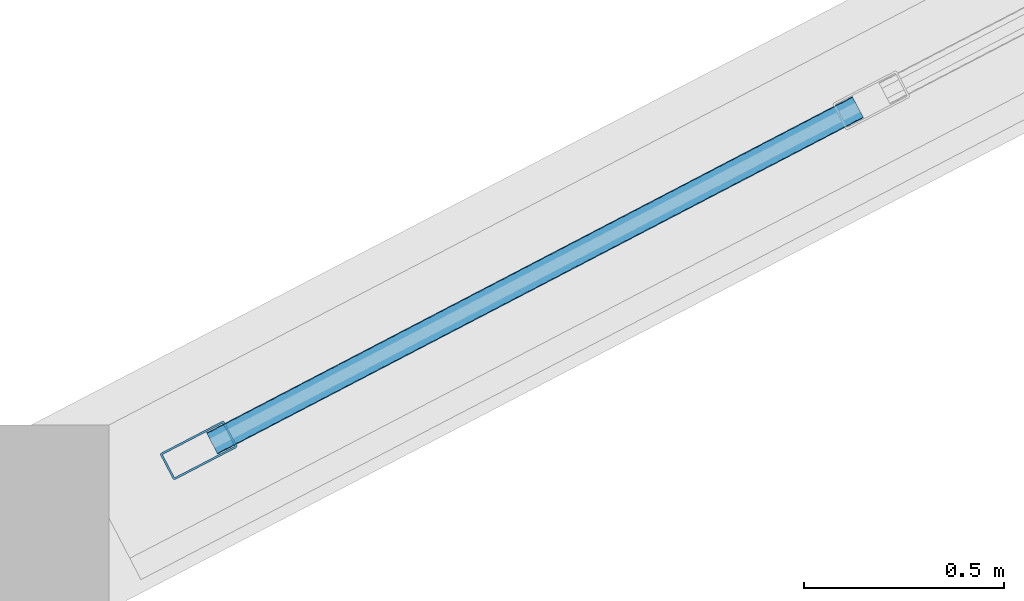
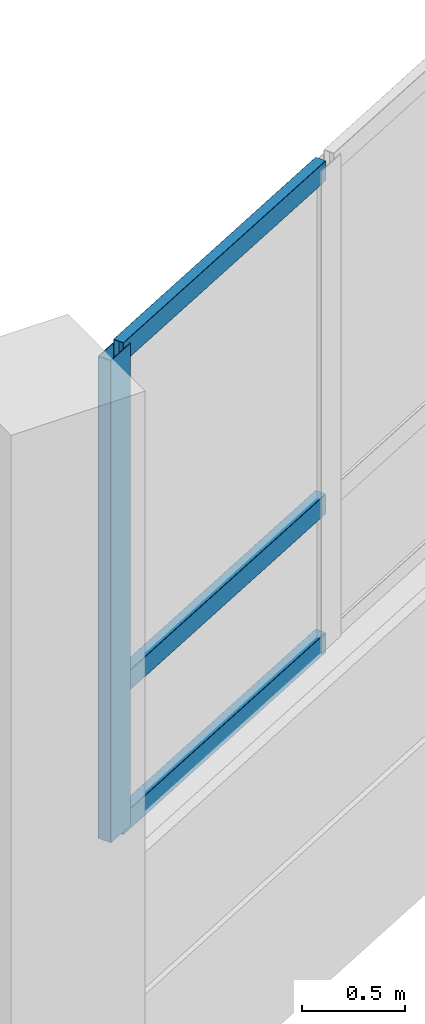
# One storey, part 4 of 121: 4 members, 1 element without a shape of its own.
"""IFC4 building model written with IfcOpenShell, lengths in metres."""

from ifc_helpers import new_model, si_unit, direction, frame, origin, origin_2d, place, context, subcontext, project, spatial, hollow_rectangle, extrude, material, layer, layer_set, material_profile, profile_set, type_object, element, aggregate, save


model = new_model("IFC4")

# Units and contexts
model_context = context("Model", 3, precision=1e-05, world=origin(), true_north=direction((0.0, 1.0)))
body_context = subcontext(model_context, "Body", "Model", "MODEL_VIEW")
ifc_project = project(units=[si_unit("LENGTHUNIT", "METRE"), si_unit("AREAUNIT", "SQUARE_METRE"), si_unit("VOLUMEUNIT", "CUBIC_METRE"), si_unit("PLANEANGLEUNIT", "RADIAN"), si_unit("MASSUNIT", "GRAM", prefix="KILO")], contexts=[model_context])

# Site, building, storey
site_placement = place(None, origin())
site = spatial("IfcSite", under=ifc_project, at=site_placement, CompositionType="ELEMENT")
building_placement = place(site_placement, origin())
building = spatial("IfcBuilding", under=site, at=building_placement, Name="Vespera Passage Community Centre", CompositionType="ELEMENT")
storey_placement = place(building_placement, frame((0.0, 0.0, 8.699951171875)))
storey = spatial("IfcBuildingStorey", under=building, at=storey_placement, Name="L02", CompositionType="ELEMENT", Elevation=8.699951171875)

# Curtain wall, members
ifc_material_1 = material(Name="Anodized aluminium 6063-T6", Category="aluminium")
ifc_layer = layer(ifc_material_1, 0.159912109375)
ifc_layer_set = layer_set([ifc_layer], Name="Anodized aluminium 6063-T6")
curtain_wall_type = type_object("IfcCurtainWallType", Name="CW-87E", PredefinedType="NOTDEFINED", material=ifc_layer_set)
curtain_wall_placement = place(storey_placement, origin())
curtain_wall = element("IfcCurtainWall", 1, at=curtain_wall_placement, inside=storey, type_object=curtain_wall_type, Name="V1 L02 S Apse Ribbon Curtain Wall 2", PredefinedType="NOTDEFINED")
ifc_material_2 = material(Name="Anodized aluminium 6063-T6", Category="aluminium")
ifc_material_profile_1 = material_profile(ifc_material_2, hollow_rectangle(XDim=0.074951171875, YDim=0.179931640625, WallThickness=0.0048828125, InnerFilletRadius=0.00244140625, OuterFilletRadius=0.0048828125, at=origin_2d()), Name="ALU180X75X5")
ifc_profile_set_1 = profile_set([ifc_material_profile_1], Name="Anodized aluminium 6063-T6")
member_type_1 = type_object("IfcMemberType", Name="MB-CWM-180E", PredefinedType="MULLION", material=ifc_profile_set_1)
member_1_placement = place(storey_placement, frame((18.598876953125, 4.36181640625, 0.800048828125), z_axis=(0.0, 0.0, 1.0), x_axis=(0.46174493668, -0.887012747062, 0.0)))
member_1 = element("IfcMember", 2, at=member_1_placement, type_object=member_type_1, Name="CW-87E mullion 7", PredefinedType="MULLION", context=body_context, shape_type="SweptSolid", body=[
    extrude(hollow_rectangle(XDim=0.074951171875, YDim=0.179931640625, WallThickness=0.0048828125, InnerFilletRadius=0.00244140625, OuterFilletRadius=0.0048828125, at=origin_2d()), origin(), (0.0, 0.0, 1.0), 2.85009765625),
])
ifc_material_3 = material(Name="Anodized aluminium 6063-T6", Category="aluminium")
ifc_material_profile_2 = material_profile(ifc_material_3, hollow_rectangle(XDim=0.06005859375, YDim=0.1201171875, WallThickness=0.00390625, InnerFilletRadius=0.001953125, OuterFilletRadius=0.00390625, at=origin_2d()), Name="ALU120X60X4")
ifc_profile_set_2 = profile_set([ifc_material_profile_2], Name="Anodized aluminium 6063-T6")
member_type_2 = type_object("IfcMemberType", Name="MB-CWT-120E", PredefinedType="USERDEFINED", material=ifc_profile_set_2)
member_2_placement = place(storey_placement, frame((20.248291015625, 5.220458984375, 0.830078125), z_axis=(-0.886990706074, -0.461787274986, 0.0), x_axis=(0.461787274986, -0.886990706074, 0.0)))
member_2 = element("IfcMember", 3, at=member_2_placement, type_object=member_type_2, Name="CW-87E transom 6.1", ObjectType="TRANSOM", PredefinedType="USERDEFINED", context=body_context, shape_type="SweptSolid", body=[
    extrude(hollow_rectangle(XDim=0.06005859375, YDim=0.1201171875, WallThickness=0.00390625, InnerFilletRadius=0.001953125, OuterFilletRadius=0.00390625, at=origin_2d()), origin(), (0.0, 0.0, 1.0), 1.82177734375),
])
member_3_placement = place(storey_placement, frame((20.248291015625, 5.220458984375, 1.650146484375), z_axis=(-0.886990706074, -0.461787274986, 0.0), x_axis=(0.461787274986, -0.886990706074, 0.0)))
member_3 = element("IfcMember", 4, at=member_3_placement, type_object=member_type_2, Name="CW-87E transom 6.2", ObjectType="TRANSOM", PredefinedType="USERDEFINED", context=body_context, shape_type="SweptSolid", body=[
    extrude(hollow_rectangle(XDim=0.06005859375, YDim=0.1201171875, WallThickness=0.00390625, InnerFilletRadius=0.001953125, OuterFilletRadius=0.00390625, at=origin_2d()), origin(), (0.0, 0.0, 1.0), 1.82177734375),
])
member_4_placement = place(storey_placement, frame((20.248291015625, 5.220458984375, 3.6201171875), z_axis=(-0.886990706074, -0.461787274986, 0.0), x_axis=(0.461787274986, -0.886990706074, 0.0)))
member_4 = element("IfcMember", 5, at=member_4_placement, type_object=member_type_2, Name="CW-87E transom 6.3", ObjectType="TRANSOM", PredefinedType="USERDEFINED", context=body_context, shape_type="SweptSolid", body=[
    extrude(hollow_rectangle(XDim=0.06005859375, YDim=0.1201171875, WallThickness=0.00390625, InnerFilletRadius=0.001953125, OuterFilletRadius=0.00390625, at=origin_2d()), origin(), (0.0, 0.0, 1.0), 1.82177734375),
])
aggregate(curtain_wall, [member_1, member_2, member_3, member_4])

save(model, "model.ifc")
